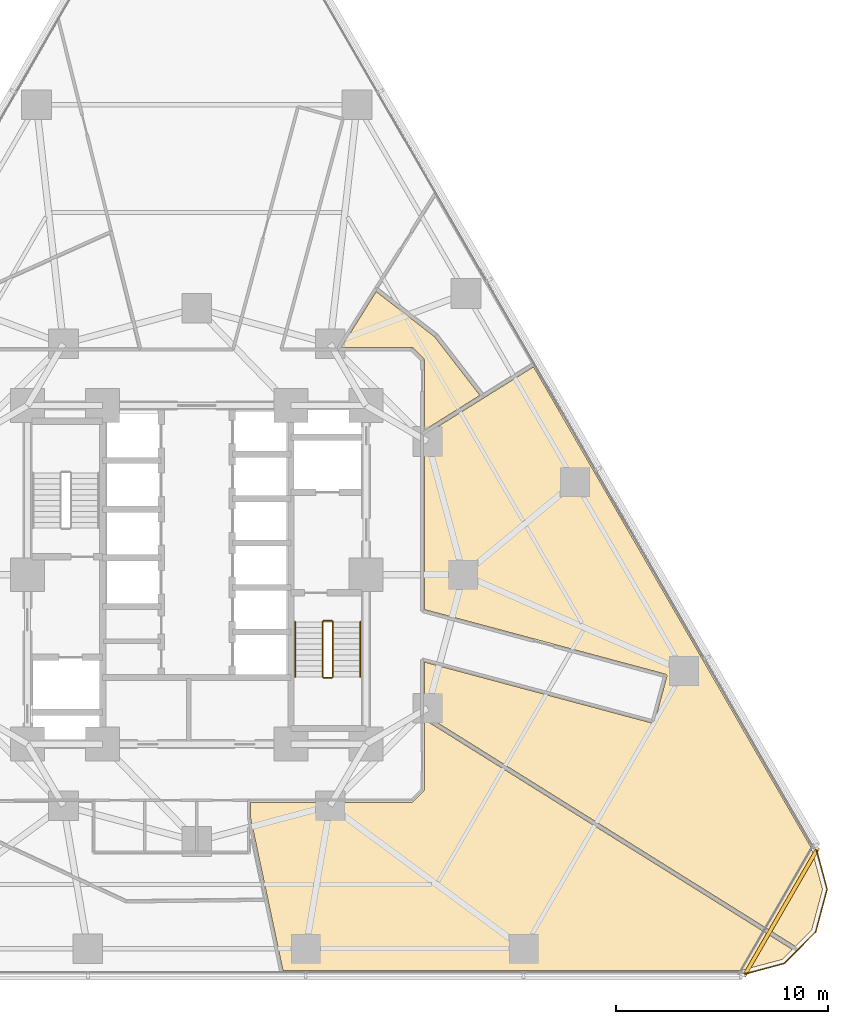
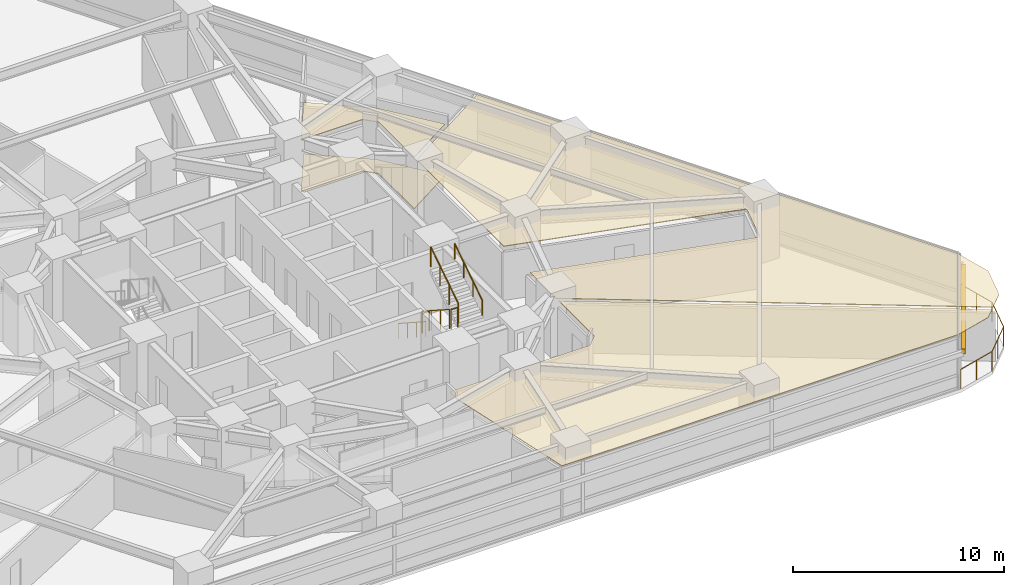
# One storey, part 14 of 15: 7 railings, 4 coverings, 1 shading device.
"""IFC4 building model written with IfcOpenShell, lengths in metres."""

from ifc_helpers import new_model, si_unit, direction, frame, origin, origin_2d, place, context, subcontext, project, spatial, polyline, rectangle, circle, outline, extrude, material, layer, layer_set, type_object, element, save


model = new_model("IFC4")

# Units and contexts
model_context = context("Model", 3, precision=1e-05, world=origin(), true_north=direction((0.0, 1.0)))
body_context = subcontext(model_context, "Body", "Model", "MODEL_VIEW")
ifc_project = project(units=[si_unit("LENGTHUNIT", "METRE"), si_unit("AREAUNIT", "SQUARE_METRE"), si_unit("VOLUMEUNIT", "CUBIC_METRE"), si_unit("PLANEANGLEUNIT", "RADIAN"), si_unit("MASSUNIT", "GRAM", prefix="KILO")], contexts=[model_context])

# Site, building, storey
site_placement = place(None, origin())
site = spatial("IfcSite", under=ifc_project, at=site_placement, CompositionType="ELEMENT")
building_placement = place(site_placement, origin())
building = spatial("IfcBuilding", under=site, at=building_placement, Name="Terralouvre Media Tower", CompositionType="ELEMENT")
storey_placement = place(building_placement, frame((0.0, 0.0, 33.39990234375)))
storey = spatial("IfcBuildingStorey", under=building, at=storey_placement, Name="L07", CompositionType="ELEMENT", Elevation=33.39990234375)

# Coverings
ifc_material_1 = material(Name="Resilient elastomer acoustic broadcast studio flooring")
ifc_layer_1 = layer(ifc_material_1, 0.050048828125, Name="Broadcast Studio Acoustic Floating Floor FL-AC1")
ifc_layer_set_1 = layer_set([ifc_layer_1], Name="Resilient elastomer acoustic broadcast studio flooring")
covering_type_1 = type_object("IfcCoveringType", Name="Broadcast Studio Acoustic Floating Floor FL-AC1", PredefinedType="FLOORING", material=ifc_layer_set_1)
covering_1_placement = place(storey_placement, origin())
element("IfcCovering", 1, at=covering_1_placement, inside=storey, type_object=covering_type_1, Name="L07 Live Feed Master Control Room 7 Acoustic Floating Floor", PredefinedType="FLOORING", context=body_context, shape_type="SweptSolid", body=[
    extrude(outline(polyline([(11.24267578125, 11.24267578125), (8.479248046875, 13.38134765625), (6.83544921875, 10.75), (10.14990234375, 10.75), (10.159912109375, 10.74951171875), (10.16943359375, 10.748046875), (10.178955078125, 10.74560546875), (10.188232421875, 10.742431640625), (10.197021484375, 10.73828125), (10.20556640625, 10.733154296875), (10.21337890625, 10.727294921875), (10.220703125, 10.720703125), (10.720703125, 10.220703125), (10.727294921875, 10.21337890625), (10.733154296875, 10.20556640625), (10.73828125, 10.197021484375), (10.742431640625, 10.188232421875), (10.74560546875, 10.178955078125), (10.748046875, 10.16943359375), (10.74951171875, 10.159912109375), (10.75, 10.14990234375), (10.75, 6.83544921875), (13.38134765625, 8.479248046875), (11.24267578125, 11.24267578125)])), origin(), (0.0, 0.0, 1.0), 0.050048828125),
])
ifc_material_2 = material(Name="Perforated aluminium acoustic ceiling baffle", Category="aluminium")
ifc_layer_2 = layer(ifc_material_2, 0.0400390625, Name="Perforated Acoustic Metal Tile Ceiling CL-AC1")
ifc_layer_set_2 = layer_set([ifc_layer_2], Name="Perforated aluminium acoustic ceiling baffle")
covering_type_2 = type_object("IfcCoveringType", Name="Perforated Acoustic Metal Tile Ceiling CL-AC1", PredefinedType="CEILING", material=ifc_layer_set_2)
covering_2_placement = place(storey_placement, frame((0.0, 0.0, 2.97998046875)))
element("IfcCovering", 2, at=covering_2_placement, inside=storey, type_object=covering_type_2, Name="L07 Live Wire Newsroom Open Office 1 Acoustic Ceiling", PredefinedType="CEILING", context=body_context, shape_type="SweptSolid", body=[
    extrude(outline(polyline([(10.75, 6.599609375), (10.75, -1.63818359375), (22.140869140625, -4.6904296875), (22.150146484375, -4.693359375), (22.1591796875, -4.697265625), (22.167724609375, -4.7021484375), (22.17578125, -4.707763671875), (22.183349609375, -4.714111328125), (22.190185546875, -4.72119140625), (22.1962890625, -4.728759765625), (22.20166015625, -4.737060546875), (22.2060546875, -4.74560546875), (22.209716796875, -4.7548828125), (22.21240234375, -4.764404296875), (22.214111328125, -4.77392578125), (22.21484375, -4.78369140625), (22.21484375, -4.793701171875), (22.213623046875, -4.80322265625), (22.211669921875, -4.81298828125), (21.6416015625, -6.93798828125), (21.638671875, -6.947265625), (21.634765625, -6.956298828125), (21.6298828125, -6.96484375), (21.624267578125, -6.972900390625), (21.617919921875, -6.98046875), (21.61083984375, -6.9873046875), (21.603271484375, -6.993408203125), (21.594970703125, -6.99853515625), (21.586181640625, -7.003173828125), (21.5771484375, -7.006591796875), (21.567626953125, -7.009521484375), (21.55810546875, -7.010986328125), (21.54833984375, -7.011962890625), (21.53857421875, -7.01171875), (21.52880859375, -7.0107421875), (21.51904296875, -7.008544921875), (10.75, -4.122314453125), (10.75, -6.599609375), (28.28271484375, -17.55517578125), (29.060302734375, -16.7783203125), (29.572509765625, -14.866943359375), (29.052734375, -12.926513671875), (15.915283203125, 9.827392578125), (13.5810546875, 8.3681640625), (10.75, 6.599609375)])), origin(), (0.0, 0.0, 1.0), 0.0400390625),
])
covering_3_placement = place(storey_placement, frame((0.0, 0.0, 2.97998046875)))
element("IfcCovering", 3, at=covering_3_placement, inside=storey, type_object=covering_type_2, Name="L07 Editorial Huddle Room 6 Acoustic Ceiling", PredefinedType="CEILING", context=body_context, shape_type="SweptSolid", body=[
    extrude(outline(polyline([(10.75, -10.14990234375), (10.74951171875, -10.159912109375), (10.748046875, -10.16943359375), (10.74560546875, -10.178955078125), (10.742431640625, -10.188232421875), (10.73828125, -10.197021484375), (10.733154296875, -10.20556640625), (10.727294921875, -10.21337890625), (10.720703125, -10.220703125), (10.220703125, -10.720703125), (10.21337890625, -10.727294921875), (10.20556640625, -10.733154296875), (10.197021484375, -10.73828125), (10.188232421875, -10.742431640625), (10.178955078125, -10.74560546875), (10.16943359375, -10.748046875), (10.159912109375, -10.74951171875), (10.14990234375, -10.75), (2.550048828125, -10.75), (2.550048828125, -11.515380859375), (3.36474609375, -15.34716796875), (4.075927734375, -18.697021484375), (25.720703125, -18.697021484375), (27.6611328125, -18.17724609375), (28.137451171875, -17.7001953125), (10.75, -6.83544921875), (10.75, -10.14990234375)])), origin(), (0.0, 0.0, 1.0), 0.0400390625),
])
covering_4_placement = place(storey_placement, frame((0.0, 0.0, 2.97998046875)))
element("IfcCovering", 4, at=covering_4_placement, inside=storey, type_object=covering_type_2, Name="L07 Live Feed Master Control Room 7 Acoustic Ceiling", PredefinedType="CEILING", context=body_context, shape_type="SweptSolid", body=[
    extrude(outline(polyline([(11.24267578125, 11.24267578125), (8.479248046875, 13.38134765625), (6.83544921875, 10.75), (10.14990234375, 10.75), (10.159912109375, 10.74951171875), (10.16943359375, 10.748046875), (10.178955078125, 10.74560546875), (10.188232421875, 10.742431640625), (10.197021484375, 10.73828125), (10.20556640625, 10.733154296875), (10.21337890625, 10.727294921875), (10.220703125, 10.720703125), (10.720703125, 10.220703125), (10.727294921875, 10.21337890625), (10.733154296875, 10.20556640625), (10.73828125, 10.197021484375), (10.742431640625, 10.188232421875), (10.74560546875, 10.178955078125), (10.748046875, 10.16943359375), (10.74951171875, 10.159912109375), (10.75, 10.14990234375), (10.75, 6.83544921875), (13.38134765625, 8.479248046875), (11.24267578125, 11.24267578125)])), origin(), (0.0, 0.0, 1.0), 0.0400390625),
])

# Railings
ifc_material_3 = material(Name="Stainless steel 316 handrail and balustrade", Category="steel")
ifc_layer_3 = layer(ifc_material_3, 0.06005859375, Name="Roof Edge Safety Guardrail GR-ROOF1")
ifc_layer_set_3 = layer_set([ifc_layer_3], Name="Stainless steel 316 handrail and balustrade")
railing_type_1 = type_object("IfcRailingType", Name="Roof Edge Safety Guardrail GR-ROOF1", PredefinedType="GUARDRAIL", material=ifc_layer_set_3)
railing_1_placement = place(storey_placement, frame((25.73779296875, -18.907958984375, 0.0)))
element("IfcRailing", 5, at=railing_1_placement, inside=storey, type_object=railing_type_1, Name="L07 Wind-Corner Perimeter Safety Guardrail C1", PredefinedType="GUARDRAIL", context=body_context, shape_type="SweptSolid", body=[
    extrude(circle(Radius=0.02099609375, at=origin_2d()), frame((0.0, 0.0, 1.12890625), z_axis=(0.965987029675, 0.258590522836, 0.0), x_axis=(-0.258590522836, 0.965987029675, 0.0)), (0.0, 0.0, 1.0), 2.095947265625),
    extrude(circle(Radius=0.02099609375, at=origin_2d()), frame((2.024658203125, 0.5419921875, 1.12890625), z_axis=(0.707165029613, 0.707048527961, 0.0), x_axis=(-0.707048527961, 0.707165029613, 0.0)), (0.0, 0.0, 1.0), 2.095703125),
    extrude(circle(Radius=0.02099609375, at=origin_2d()), frame((3.506591796875, 2.023681640625, 1.12890625), z_axis=(0.258757438042, 0.965942331745, 0.0), x_axis=(-0.965942331745, 0.258757438042, 0.0)), (0.0, 0.0, 1.0), 2.095458984375),
    extrude(circle(Radius=0.02099609375, at=origin_2d()), frame((4.048828125, 4.0478515625, 1.12890625), z_axis=(-0.259054358605, 0.965862743503, 0.0), x_axis=(-0.965862743503, -0.259054358605, 0.0)), (0.0, 0.0, 1.0), 2.095947265625),
    extrude(circle(Radius=0.01904296875, at=origin_2d()), origin(), (0.0, 0.0, 1.0), 1.10791015625),
    extrude(circle(Radius=0.01904296875, at=origin_2d()), frame((1.01220703125, 0.27099609375, 0.0)), (0.0, 0.0, 1.0), 1.10791015625),
    extrude(circle(Radius=0.01904296875, at=origin_2d()), frame((2.024658203125, 0.5419921875, 0.0)), (0.0, 0.0, 1.0), 1.10791015625),
    extrude(circle(Radius=0.01904296875, at=origin_2d()), frame((2.765625, 1.28271484375, 0.0)), (0.0, 0.0, 1.0), 1.10791015625),
    extrude(circle(Radius=0.01904296875, at=origin_2d()), frame((3.506591796875, 2.023681640625, 0.0)), (0.0, 0.0, 1.0), 1.10791015625),
    extrude(circle(Radius=0.01904296875, at=origin_2d()), frame((3.77783203125, 3.03564453125, 0.0)), (0.0, 0.0, 1.0), 1.10791015625),
    extrude(circle(Radius=0.01904296875, at=origin_2d()), frame((4.048828125, 4.0478515625, 0.0)), (0.0, 0.0, 1.0), 1.10791015625),
    extrude(circle(Radius=0.01904296875, at=origin_2d()), frame((3.77734375, 5.06005859375, 0.0)), (0.0, 0.0, 1.0), 1.10791015625),
    extrude(circle(Radius=0.01904296875, at=origin_2d()), frame((3.505859375, 6.072265625, 0.0)), (0.0, 0.0, 1.0), 1.10791015625),
])
ifc_material_4 = material(Name="Stainless steel 316 handrail and balustrade", Category="steel")
ifc_layer_4 = layer(ifc_material_4, 0.050048828125, Name="Stair Flight Wall Handrail HR-INT1")
ifc_layer_set_4 = layer_set([ifc_layer_4], Name="Stainless steel 316 handrail and balustrade")
railing_type_2 = type_object("IfcRailingType", Name="Stair Flight Wall Handrail HR-INT1", PredefinedType="HANDRAIL", material=ifc_layer_set_4)
railing_2_placement = place(storey_placement, frame((4.64990234375, -2.219970703125, 0.168212890625)))
element("IfcRailing", 6, at=railing_2_placement, inside=storey, type_object=railing_type_2, Name="L07 ST-02 stair handrail 1", PredefinedType="HANDRAIL", context=body_context, shape_type="SweptSolid", body=[
    extrude(circle(Radius=0.02392578125, at=origin_2d()), frame((0.0, 0.0, 0.8759765625), z_axis=(0.0, -0.839648411786, 0.543130320075), x_axis=(1.0, 0.0, 0.0)), (0.0, 0.0, 1.0), 3.0966796875),
    extrude(circle(Radius=0.02099609375, at=origin_2d()), origin(), (0.0, 0.0, 1.0), 0.851806640625),
    extrude(circle(Radius=0.02099609375, at=origin_2d()), frame((0.0, -0.86669921875, 0.560546875)), (0.0, 0.0, 1.0), 0.851806640625),
    extrude(circle(Radius=0.02099609375, at=origin_2d()), frame((0.0, -1.7333984375, 1.121337890625)), (0.0, 0.0, 1.0), 0.851806640625),
    extrude(circle(Radius=0.02099609375, at=origin_2d()), frame((0.0, -2.60009765625, 1.681884765625)), (0.0, 0.0, 1.0), 0.851806640625),
])
railing_3_placement = place(storey_placement, frame((7.72998046875, -4.820068359375, 2.018310546875)))
element("IfcRailing", 7, at=railing_3_placement, inside=storey, type_object=railing_type_2, Name="L07 ST-02 stair handrail 2", PredefinedType="HANDRAIL", context=body_context, shape_type="SweptSolid", body=[
    extrude(circle(Radius=0.02392578125, at=origin_2d()), frame((0.0, 0.0, 0.8759765625), z_axis=(0.0, 0.839648411786, 0.543130320075), x_axis=(-1.0, 0.0, 0.0)), (0.0, 0.0, 1.0), 3.0966796875),
    extrude(circle(Radius=0.02099609375, at=origin_2d()), origin(), (0.0, 0.0, 1.0), 0.851806640625),
    extrude(circle(Radius=0.02099609375, at=origin_2d()), frame((0.0, 0.86669921875, 0.560546875)), (0.0, 0.0, 1.0), 0.851806640625),
    extrude(circle(Radius=0.02099609375, at=origin_2d()), frame((0.0, 1.7333984375, 1.121337890625)), (0.0, 0.0, 1.0), 0.851806640625),
    extrude(circle(Radius=0.02099609375, at=origin_2d()), frame((0.0, 2.60009765625, 1.681884765625)), (0.0, 0.0, 1.0), 0.851806640625),
])
ifc_material_5 = material(Name="Stainless steel 316 handrail and balustrade", Category="steel")
ifc_layer_5 = layer(ifc_material_5, 0.050048828125, Name="Stairwell Safety Guardrail GR-INT1")
ifc_layer_set_5 = layer_set([ifc_layer_5], Name="Stainless steel 316 handrail and balustrade")
railing_type_3 = type_object("IfcRailingType", Name="Stairwell Safety Guardrail GR-INT1", PredefinedType="GUARDRAIL", material=ifc_layer_set_5)
railing_4_placement = place(storey_placement, frame((5.949951171875, -2.219970703125, 0.168212890625)))
element("IfcRailing", 8, at=railing_4_placement, inside=storey, type_object=railing_type_3, Name="L07 ST-02 stair guard 1", PredefinedType="GUARDRAIL", context=body_context, shape_type="SweptSolid", body=[
    extrude(circle(Radius=0.02392578125, at=origin_2d()), frame((0.0, 0.0, 1.1259765625), z_axis=(0.0, -0.839648411786, 0.543130320075), x_axis=(1.0, 0.0, 0.0)), (0.0, 0.0, 1.0), 3.0966796875),
    extrude(circle(Radius=0.02099609375, at=origin_2d()), origin(), (0.0, 0.0, 1.0), 1.101806640625),
    extrude(circle(Radius=0.02099609375, at=origin_2d()), frame((0.0, -0.86669921875, 0.560546875)), (0.0, 0.0, 1.0), 1.101806640625),
    extrude(circle(Radius=0.02099609375, at=origin_2d()), frame((0.0, -1.7333984375, 1.121337890625)), (0.0, 0.0, 1.0), 1.101806640625),
    extrude(circle(Radius=0.02099609375, at=origin_2d()), frame((0.0, -2.60009765625, 1.681884765625)), (0.0, 0.0, 1.0), 1.101806640625),
])
railing_5_placement = place(storey_placement, frame((6.0, -4.8701171875, 1.85009765625)))
element("IfcRailing", 9, at=railing_5_placement, inside=storey, type_object=railing_type_3, Name="L07 ST-02 stair guard 2", PredefinedType="GUARDRAIL", context=body_context, shape_type="SweptSolid", body=[
    extrude(circle(Radius=0.02392578125, at=origin_2d()), frame((0.0, 0.0, 1.1259765625), z_axis=(1.0, 0.0, 0.0), x_axis=(0.0, 1.0, 0.0)), (0.0, 0.0, 1.0), 0.3798828125),
    extrude(circle(Radius=0.02099609375, at=origin_2d()), origin(), (0.0, 0.0, 1.0), 1.101806640625),
    extrude(circle(Radius=0.02099609375, at=origin_2d()), frame((0.3798828125, 0.0, 0.0)), (0.0, 0.0, 1.0), 1.101806640625),
])
railing_6_placement = place(storey_placement, frame((6.429931640625, -4.820068359375, 2.018310546875)))
element("IfcRailing", 10, at=railing_6_placement, inside=storey, type_object=railing_type_3, Name="L07 ST-02 stair guard 3", PredefinedType="GUARDRAIL", context=body_context, shape_type="SweptSolid", body=[
    extrude(circle(Radius=0.02392578125, at=origin_2d()), frame((0.0, 0.0, 1.1259765625), z_axis=(0.0, 0.839648411786, 0.543130320075), x_axis=(-1.0, 0.0, 0.0)), (0.0, 0.0, 1.0), 3.0966796875),
    extrude(circle(Radius=0.02099609375, at=origin_2d()), origin(), (0.0, 0.0, 1.0), 1.101806640625),
    extrude(circle(Radius=0.02099609375, at=origin_2d()), frame((0.0, 0.86669921875, 0.560546875)), (0.0, 0.0, 1.0), 1.101806640625),
    extrude(circle(Radius=0.02099609375, at=origin_2d()), frame((0.0, 1.7333984375, 1.121337890625)), (0.0, 0.0, 1.0), 1.101806640625),
    extrude(circle(Radius=0.02099609375, at=origin_2d()), frame((0.0, 2.60009765625, 1.681884765625)), (0.0, 0.0, 1.0), 1.101806640625),
])
railing_7_placement = place(storey_placement, frame((6.0, -2.169921875, 0.0)))
element("IfcRailing", 11, at=railing_7_placement, inside=storey, type_object=railing_type_3, Name="L07 ST-02 stair guard 4", PredefinedType="GUARDRAIL", context=body_context, shape_type="SweptSolid", body=[
    extrude(circle(Radius=0.02392578125, at=origin_2d()), frame((0.0, 0.0, 1.1259765625), z_axis=(1.0, 0.0, 0.0), x_axis=(0.0, 1.0, 0.0)), (0.0, 0.0, 1.0), 0.3798828125),
    extrude(circle(Radius=0.02099609375, at=origin_2d()), origin(), (0.0, 0.0, 1.0), 1.101806640625),
    extrude(circle(Radius=0.02099609375, at=origin_2d()), frame((0.3798828125, 0.0, 0.0)), (0.0, 0.0, 1.0), 1.101806640625),
])

# Shading device
ifc_material_6 = material(Name="Extruded terracotta baguette sunshade louvres", Category="masonry")
shading_device_type = type_object("IfcShadingDeviceType", Name="Terracotta Baguette Sunshade Louvre Screen TB-LV1", PredefinedType="USERDEFINED", material=ifc_material_6)
shading_device_placement = place(storey_placement, frame((27.607666015625, -15.939208984375, 2.02392578125), z_axis=(0.0, 0.0, 1.0), x_axis=(0.499999691503, 0.866025581895, 0.0)))
element("IfcShadingDevice", 12, at=shading_device_placement, inside=storey, type_object=shading_device_type, Name="CW-L07-C1 Terracotta Baguette Sunshade Louvre", ObjectType="BAGUETTE", PredefinedType="USERDEFINED", context=body_context, shape_type="SweptSolid", body=[
    extrude(rectangle(XDim=7.014892578125, YDim=0.179931640625, at=origin_2d()), origin(), (0.0, 0.0, 1.0), 0.280029296875),
])

save(model, "model.ifc")
